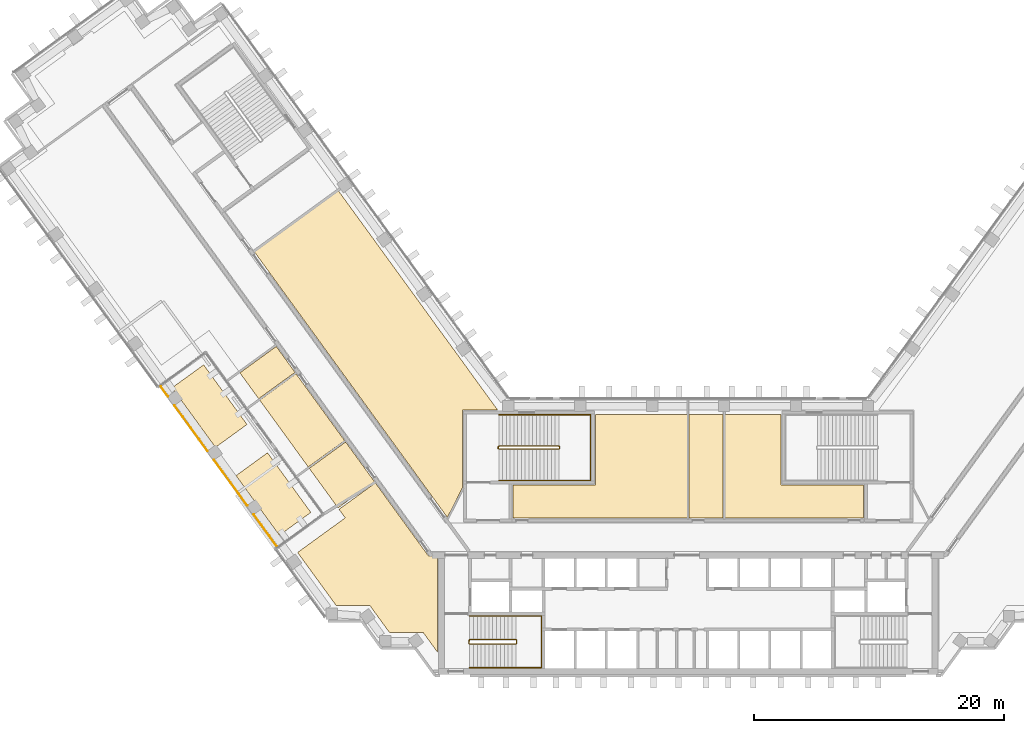
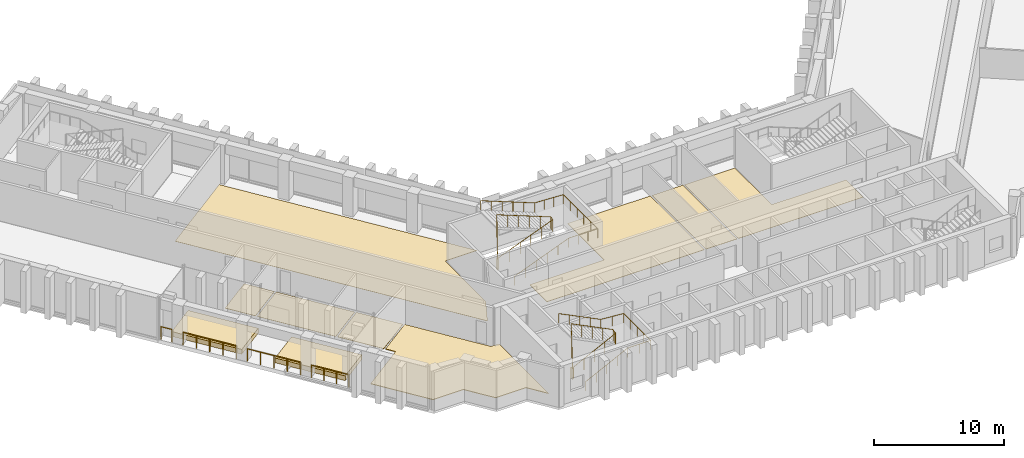
# One storey, part 14 of 16: 10 coverings, 8 railings.
"""IFC4 building model written with IfcOpenShell, lengths in metres."""

from ifc_helpers import new_model, si_unit, direction, frame, origin, origin_2d, place, context, subcontext, project, spatial, polyline, circle, outline, extrude, material, layer, layer_set, type_object, element, save


model = new_model("IFC4")

# Units and contexts
model_context = context("Model", 3, precision=1e-05, world=origin(), true_north=direction((0.0, 1.0)))
body_context = subcontext(model_context, "Body", "Model", "MODEL_VIEW")
ifc_project = project(units=[si_unit("LENGTHUNIT", "METRE"), si_unit("AREAUNIT", "SQUARE_METRE"), si_unit("VOLUMEUNIT", "CUBIC_METRE"), si_unit("PLANEANGLEUNIT", "RADIAN"), si_unit("MASSUNIT", "GRAM", prefix="KILO")], contexts=[model_context])

# Site, building, storey
site_placement = place(None, origin())
site = spatial("IfcSite", under=ifc_project, at=site_placement, CompositionType="ELEMENT")
building_placement = place(site_placement, origin())
building = spatial("IfcBuilding", under=site, at=building_placement, Name="Quipu Civic Tower", CompositionType="ELEMENT")
storey_placement = place(building_placement, frame((0.0, 0.0, 55.0)))
storey = spatial("IfcBuildingStorey", under=building, at=storey_placement, Name="L12", CompositionType="ELEMENT", Elevation=55.0)

# Coverings
ifc_material_1 = material(Name="Carpet tile on raised access floor")
ifc_layer_1 = layer(ifc_material_1, 0.02001953125)
ifc_layer_set_1 = layer_set([ifc_layer_1], Name="Carpet tile on raised access floor")
covering_type_1 = type_object("IfcCoveringType", Name="Carpet tile floor finish 20", PredefinedType="FLOORING", material=ifc_layer_set_1)
covering_1_placement = place(storey_placement, origin())
element("IfcCovering", 1, at=covering_1_placement, inside=storey, type_object=covering_type_1, Name="Carpet tile floor finish 20", PredefinedType="FLOORING", context=body_context, shape_type="SweptSolid", body=[
    extrude(outline(polyline([(-34.719970703125, 22.845947265625), (-27.99609375, 27.72998046875), (-15.238037109375, 10.169921875), (-18.070068359375, 10.1689453125), (-18.070068359375, 3.94189453125), (-19.27197265625, 1.583984375), (-34.719970703125, 22.845947265625)])), origin(), (0.0, 0.0, 1.0), 0.02001953125),
])
covering_2_placement = place(storey_placement, origin())
element("IfcCovering", 2, at=covering_2_placement, inside=storey, type_object=covering_type_1, Name="Carpet tile floor finish 20", PredefinedType="FLOORING", context=body_context, shape_type="SweptSolid", body=[
    extrude(outline(polyline([(2.948974609375, 1.52001953125), (2.948974609375, 9.830078125), (7.429931640625, 9.830078125), (7.430908203125, 4.179931640625), (14.030029296875, 4.179931640625), (14.030029296875, 1.52001953125), (2.948974609375, 1.52001953125)])), origin(), (0.0, 0.0, 1.0), 0.02001953125),
])
covering_3_placement = place(storey_placement, origin())
element("IfcCovering", 3, at=covering_3_placement, inside=storey, type_object=covering_type_1, Name="Carpet tile floor finish 20", PredefinedType="FLOORING", context=body_context, shape_type="SweptSolid", body=[
    extrude(outline(polyline([(-34.29296875, 10.968994140625), (-31.384033203125, 13.08203125), (-27.4990234375, 7.73388671875), (-30.407958984375, 5.6220703125), (-34.29296875, 10.968994140625)])), origin(), (0.0, 0.0, 1.0), 0.02001953125),
])
ifc_material_2 = material(Name="Ceramic floor tile")
ifc_layer_2 = layer(ifc_material_2, 0.030029296875)
ifc_layer_set_2 = layer_set([ifc_layer_2], Name="Ceramic floor tile")
covering_type_2 = type_object("IfcCoveringType", Name="Ceramic tile floor finish 30", PredefinedType="FLOORING", material=ifc_layer_set_2)
covering_4_placement = place(storey_placement, origin())
element("IfcCovering", 4, at=covering_4_placement, inside=storey, type_object=covering_type_2, Name="Ceramic tile floor finish 30", PredefinedType="FLOORING", context=body_context, shape_type="SweptSolid", body=[
    extrude(outline(polyline([(-14.030029296875, 4.179931640625), (-7.430908203125, 4.179931640625), (-7.429931640625, 9.830078125), (-0.070068359375, 9.830078125), (-0.070068359375, 1.52001953125), (-14.030029296875, 1.52001953125), (-14.030029296875, 4.179931640625)])), origin(), (0.0, 0.0, 1.0), 0.030029296875),
])
covering_5_placement = place(storey_placement, origin())
element("IfcCovering", 5, at=covering_5_placement, inside=storey, type_object=covering_type_2, Name="Ceramic tile floor finish 30", PredefinedType="FLOORING", context=body_context, shape_type="SweptSolid", body=[
    extrude(outline(polyline([(0.070068359375, 9.830078125), (2.80908203125, 9.830078125), (2.80908203125, 1.52001953125), (0.070068359375, 1.52001953125), (0.070068359375, 9.830078125)])), origin(), (0.0, 0.0, 1.0), 0.030029296875),
])
covering_6_placement = place(storey_placement, origin())
element("IfcCovering", 6, at=covering_6_placement, inside=storey, type_object=covering_type_2, Name="Ceramic tile floor finish 30", PredefinedType="FLOORING", context=body_context, shape_type="SweptSolid", body=[
    extrude(outline(polyline([(-35.8798828125, 13.154052734375), (-32.969970703125, 15.26708984375), (-31.466064453125, 13.196044921875), (-34.3759765625, 11.0830078125), (-35.8798828125, 13.154052734375)])), origin(), (0.0, 0.0, 1.0), 0.030029296875),
])
covering_7_placement = place(storey_placement, origin())
element("IfcCovering", 7, at=covering_7_placement, inside=storey, type_object=covering_type_2, Name="Ceramic tile floor finish 30", PredefinedType="FLOORING", context=body_context, shape_type="SweptSolid", body=[
    extrude(outline(polyline([(-30.324951171875, 5.508056640625), (-27.416015625, 7.62109375), (-25.117919921875, 4.4580078125), (-28.028076171875, 2.344970703125), (-30.324951171875, 5.508056640625)])), origin(), (0.0, 0.0, 1.0), 0.030029296875),
])
ifc_material_3 = material(Name="Planting soil on drainage board")
ifc_layer_3 = layer(ifc_material_3, 0.449951171875)
ifc_layer_set_3 = layer_set([ifc_layer_3], Name="Planting soil on drainage board")
covering_type_3 = type_object("IfcCoveringType", Name="Planted terrace build-up", PredefinedType="FLOORING", material=ifc_layer_set_3)
covering_8_placement = place(storey_placement, origin())
element("IfcCovering", 8, at=covering_8_placement, inside=storey, type_object=covering_type_3, Name="Planted terrace L12 bed 1", PredefinedType="FLOORING", context=body_context, shape_type="SweptSolid", body=[
    extrude(outline(polyline([(-41.30078125, 11.96484375), (-38.78125, 13.79541015625), (-35.3134765625, 9.022216796875), (-37.8330078125, 7.191650390625), (-41.30078125, 11.96484375)])), origin(), (0.0, 0.0, 1.0), 0.449951171875),
])
covering_9_placement = place(storey_placement, origin())
element("IfcCovering", 9, at=covering_9_placement, inside=storey, type_object=covering_type_3, Name="Planted terrace L12 bed 2", PredefinedType="FLOORING", context=body_context, shape_type="SweptSolid", body=[
    extrude(outline(polyline([(-36.18701171875, 4.92626953125), (-33.66748046875, 6.7568359375), (-30.19970703125, 1.983642578125), (-32.718994140625, 0.153076171875), (-36.18701171875, 4.92626953125)])), origin(), (0.0, 0.0, 1.0), 0.449951171875),
])
ifc_material_4 = material(Name="Sealed cement screed")
ifc_layer_4 = layer(ifc_material_4, 0.050048828125)
ifc_layer_set_4 = layer_set([ifc_layer_4], Name="Sealed cement screed")
covering_type_4 = type_object("IfcCoveringType", Name="Sealed screed floor finish 50", PredefinedType="FLOORING", material=ifc_layer_set_4)
covering_10_placement = place(storey_placement, origin())
element("IfcCovering", 10, at=covering_10_placement, inside=storey, type_object=covering_type_4, Name="Sealed screed floor finish 50", PredefinedType="FLOORING", context=body_context, shape_type="SweptSolid", body=[
    extrude(outline(polyline([(-31.261962890625, -1.222900390625), (-27.448974609375, 1.5458984375), (-27.945068359375, 2.23095703125), (-25.034912109375, 4.344970703125), (-20.77490234375, -1.51904296875), (-20.070068359375, -1.52001953125), (-20.070068359375, -9.195068359375), (-21.196044921875, -7.64599609375), (-21.6630859375, -7.64599609375), (-21.666015625, -7.64404296875), (-21.669921875, -7.64111328125), (-21.675048828125, -7.639892578125), (-21.679931640625, -7.637939453125), (-21.68408203125, -7.636962890625), (-21.68896484375, -7.636962890625), (-21.694091796875, -7.635986328125), (-21.698974609375, -7.636962890625), (-21.7041015625, -7.637939453125), (-21.708984375, -7.638916015625), (-21.712890625, -7.64111328125), (-21.718017578125, -7.64306640625), (-21.721923828125, -7.64599609375), (-21.721923828125, -7.64599609375), (-23.89501953125, -7.64599609375), (-25.48193359375, -5.4619140625), (-28.181884765625, -5.4609375), (-31.261962890625, -1.222900390625)])), origin(), (0.0, 0.0, 1.0), 0.050048828125),
])

# Railings
ifc_material_5 = material(Name="Stainless steel", Category="steel")
railing_type_1 = type_object("IfcRailingType", Name="Stair guard 1100", PredefinedType="GUARDRAIL", material=ifc_material_5)
railing_1_placement = place(storey_placement, frame((-17.5, -8.550048828125, 0.15380859375)))
element("IfcRailing", 11, at=railing_1_placement, inside=storey, type_object=railing_type_1, Name="Stair 1 guard", PredefinedType="GUARDRAIL", context=body_context, shape_type="SweptSolid", body=[
    extrude(circle(Radius=0.02392578125, at=origin_2d()), frame((0.0, 0.0, 1.076171875), z_axis=(0.895751851347, 0.0, 0.444554407028), x_axis=(0.0, 1.0, 0.0)), (0.0, 0.0, 1.0), 4.15283203125),
    extrude(circle(Radius=0.02392578125, at=origin_2d()), frame((3.719970703125, 0.0, 2.92236328125), z_axis=(0.707106781187, 0.707106781187, 0.0), x_axis=(-0.707106781187, 0.707106781187, 0.0)), (0.0, 0.0, 1.0), 0.07080078125),
    extrude(circle(Radius=0.02392578125, at=origin_2d()), frame((3.77001953125, 0.050048828125, 2.92236328125), z_axis=(0.0, 1.0, 0.0), x_axis=(-1.0, 0.0, 0.0)), (0.0, 0.0, 1.0), 0.25),
    extrude(circle(Radius=0.02392578125, at=origin_2d()), frame((3.77001953125, 0.300048828125, 2.92236328125), z_axis=(-0.295599637079, 0.295599637079, 0.908428152975), x_axis=(-0.707106781187, -0.707106781187, 0.0)), (0.0, 0.0, 1.0), 0.16943359375),
    extrude(circle(Radius=0.02392578125, at=origin_2d()), frame((3.719970703125, 0.35009765625, 3.076171875), z_axis=(-0.895751851347, 0.0, 0.444554407028), x_axis=(0.0, -1.0, 0.0)), (0.0, 0.0, 1.0), 4.15283203125),
    extrude(circle(Radius=0.02392578125, at=origin_2d()), frame((0.0, 0.35009765625, 4.92236328125), z_axis=(-0.012476181752, -0.074796231092, -0.997120789425), x_axis=(0.986372223864, -0.164529134168, 0.0)), (0.0, 0.0, 1.0), 4.011474609375),
    extrude(circle(Radius=0.02392578125, at=origin_2d()), frame((-0.050048828125, 0.050048828125, 0.92236328125), z_axis=(0.0, 1.0, 0.0), x_axis=(-1.0, 0.0, 0.0)), (0.0, 0.0, 1.0), 0.25),
    extrude(circle(Radius=0.02099609375, at=origin_2d()), origin(), (0.0, 0.0, 1.0), 1.052001953125),
    extrude(circle(Radius=0.02099609375, at=origin_2d()), frame((0.929931640625, 0.0, 0.46142578125)), (0.0, 0.0, 1.0), 1.052001953125),
    extrude(circle(Radius=0.02099609375, at=origin_2d()), frame((1.85986328125, 0.0, 0.923095703125)), (0.0, 0.0, 1.0), 1.052001953125),
    extrude(circle(Radius=0.02099609375, at=origin_2d()), frame((2.7900390625, 0.0, 1.384765625)), (0.0, 0.0, 1.0), 1.052001953125),
    extrude(circle(Radius=0.02099609375, at=origin_2d()), frame((3.719970703125, 0.0, 1.84619140625)), (0.0, 0.0, 1.0), 1.052001953125),
    extrude(circle(Radius=0.02099609375, at=origin_2d()), frame((3.77001953125, 0.050048828125, 1.84619140625)), (0.0, 0.0, 1.0), 1.052001953125),
    extrude(circle(Radius=0.02099609375, at=origin_2d()), frame((3.77001953125, 0.300048828125, 1.84619140625)), (0.0, 0.0, 1.0), 1.052001953125),
    extrude(circle(Radius=0.02099609375, at=origin_2d()), frame((3.719970703125, 0.35009765625, 2.0)), (0.0, 0.0, 1.0), 1.052001953125),
    extrude(circle(Radius=0.02099609375, at=origin_2d()), frame((2.7900390625, 0.35009765625, 2.46142578125)), (0.0, 0.0, 1.0), 1.052001953125),
    extrude(circle(Radius=0.02099609375, at=origin_2d()), frame((1.85986328125, 0.35009765625, 2.923095703125)), (0.0, 0.0, 1.0), 1.052001953125),
    extrude(circle(Radius=0.02099609375, at=origin_2d()), frame((0.929931640625, 0.35009765625, 3.384765625)), (0.0, 0.0, 1.0), 1.052001953125),
    extrude(circle(Radius=0.02099609375, at=origin_2d()), frame((0.0, 0.35009765625, 3.84619140625)), (0.0, 0.0, 1.0), 1.052001953125),
    extrude(circle(Radius=0.02099609375, at=origin_2d()), frame((-0.012451171875, 0.275146484375, 2.84619140625)), (0.0, 0.0, 1.0), 1.052001953125),
    extrude(circle(Radius=0.02099609375, at=origin_2d()), frame((-0.02490234375, 0.2001953125, 1.84619140625)), (0.0, 0.0, 1.0), 1.052001953125),
    extrude(circle(Radius=0.02099609375, at=origin_2d()), frame((-0.03759765625, 0.125, 0.84619140625)), (0.0, 0.0, 1.0), 1.052001953125),
    extrude(circle(Radius=0.02099609375, at=origin_2d()), frame((-0.050048828125, 0.050048828125, -0.15380859375)), (0.0, 0.0, 1.0), 1.052001953125),
    extrude(circle(Radius=0.02099609375, at=origin_2d()), frame((-0.050048828125, 0.300048828125, -0.15380859375)), (0.0, 0.0, 1.0), 1.052001953125),
])
railing_2_placement = place(storey_placement, frame((-15.14990234375, 7.050048828125, 0.11767578125)))
element("IfcRailing", 12, at=railing_2_placement, inside=storey, type_object=railing_type_1, Name="Stair 3 guard", PredefinedType="GUARDRAIL", context=body_context, shape_type="SweptSolid", body=[
    extrude(circle(Radius=0.02392578125, at=origin_2d()), frame((0.0, 0.0, 1.076171875), z_axis=(0.930970042603, 0.0, 0.365095576219), x_axis=(0.0, 1.0, 0.0)), (0.0, 0.0, 1.0), 5.15576171875),
    extrude(circle(Radius=0.02392578125, at=origin_2d()), frame((4.7998046875, 0.0, 2.95849609375), z_axis=(0.707106781187, 0.707106781187, 0.0), x_axis=(-0.707106781187, 0.707106781187, 0.0)), (0.0, 0.0, 1.0), 0.07080078125),
    extrude(circle(Radius=0.02392578125, at=origin_2d()), frame((4.849853515625, 0.050048828125, 2.95849609375), z_axis=(0.0, 1.0, 0.0), x_axis=(-1.0, 0.0, 0.0)), (0.0, 0.0, 1.0), 0.14990234375),
    extrude(circle(Radius=0.02392578125, at=origin_2d()), frame((4.849853515625, 0.199951171875, 2.95849609375), z_axis=(-0.364463019033, 0.364463019033, 0.856932561824), x_axis=(-0.707106781187, -0.707106781187, 0.0)), (0.0, 0.0, 1.0), 0.13720703125),
    extrude(circle(Radius=0.02392578125, at=origin_2d()), frame((4.7998046875, 0.25, 3.076171875), z_axis=(-0.930970042603, 0.0, 0.365095576219), x_axis=(0.0, -1.0, 0.0)), (0.0, 0.0, 1.0), 5.15576171875),
    extrude(circle(Radius=0.02392578125, at=origin_2d()), frame((0.0, 0.25, 4.95849609375), z_axis=(-0.012495627992, -0.049921557685, -0.998674970829), x_axis=(0.970072785993, -0.242814311512, 0.0)), (0.0, 0.0, 1.0), 4.00537109375),
    extrude(circle(Radius=0.02392578125, at=origin_2d()), frame((-0.050048828125, 0.050048828125, 0.95849609375), z_axis=(0.0, 1.0, 0.0), x_axis=(-1.0, 0.0, 0.0)), (0.0, 0.0, 1.0), 0.14990234375),
    extrude(circle(Radius=0.02099609375, at=origin_2d()), origin(), (0.0, 0.0, 1.0), 1.052001953125),
    extrude(circle(Radius=0.02099609375, at=origin_2d()), frame((0.9599609375, 0.0, 0.37646484375)), (0.0, 0.0, 1.0), 1.052001953125),
    extrude(circle(Radius=0.02099609375, at=origin_2d()), frame((1.919921875, 0.0, 0.7529296875)), (0.0, 0.0, 1.0), 1.052001953125),
    extrude(circle(Radius=0.02099609375, at=origin_2d()), frame((2.8798828125, 0.0, 1.12939453125)), (0.0, 0.0, 1.0), 1.052001953125),
    extrude(circle(Radius=0.02099609375, at=origin_2d()), frame((3.83984375, 0.0, 1.505859375)), (0.0, 0.0, 1.0), 1.052001953125),
    extrude(circle(Radius=0.02099609375, at=origin_2d()), frame((4.7998046875, 0.0, 1.88232421875)), (0.0, 0.0, 1.0), 1.052001953125),
    extrude(circle(Radius=0.02099609375, at=origin_2d()), frame((4.849853515625, 0.050048828125, 1.88232421875)), (0.0, 0.0, 1.0), 1.052001953125),
    extrude(circle(Radius=0.02099609375, at=origin_2d()), frame((4.849853515625, 0.199951171875, 1.88232421875)), (0.0, 0.0, 1.0), 1.052001953125),
    extrude(circle(Radius=0.02099609375, at=origin_2d()), frame((4.7998046875, 0.25, 2.0)), (0.0, 0.0, 1.0), 1.052001953125),
    extrude(circle(Radius=0.02099609375, at=origin_2d()), frame((3.83984375, 0.25, 2.37646484375)), (0.0, 0.0, 1.0), 1.052001953125),
    extrude(circle(Radius=0.02099609375, at=origin_2d()), frame((2.8798828125, 0.25, 2.7529296875)), (0.0, 0.0, 1.0), 1.052001953125),
    extrude(circle(Radius=0.02099609375, at=origin_2d()), frame((1.919921875, 0.25, 3.12939453125)), (0.0, 0.0, 1.0), 1.052001953125),
    extrude(circle(Radius=0.02099609375, at=origin_2d()), frame((0.9599609375, 0.25, 3.505859375)), (0.0, 0.0, 1.0), 1.052001953125),
    extrude(circle(Radius=0.02099609375, at=origin_2d()), frame((0.0, 0.25, 3.88232421875)), (0.0, 0.0, 1.0), 1.052001953125),
    extrude(circle(Radius=0.02099609375, at=origin_2d()), frame((-0.012451171875, 0.199951171875, 2.88232421875)), (0.0, 0.0, 1.0), 1.052001953125),
    extrude(circle(Radius=0.02099609375, at=origin_2d()), frame((-0.02490234375, 0.14990234375, 1.88232421875)), (0.0, 0.0, 1.0), 1.052001953125),
    extrude(circle(Radius=0.02099609375, at=origin_2d()), frame((-0.03759765625, 0.10009765625, 0.88232421875)), (0.0, 0.0, 1.0), 1.052001953125),
    extrude(circle(Radius=0.02099609375, at=origin_2d()), frame((-0.050048828125, 0.050048828125, -0.11767578125)), (0.0, 0.0, 1.0), 1.052001953125),
    extrude(circle(Radius=0.02099609375, at=origin_2d()), frame((-0.050048828125, 0.199951171875, -0.11767578125)), (0.0, 0.0, 1.0), 1.052001953125),
])
ifc_material_6 = material(Name="Stainless steel", Category="steel")
railing_type_2 = type_object("IfcRailingType", Name="Stair handrail", PredefinedType="HANDRAIL", material=ifc_material_6)
railing_3_placement = place(storey_placement, frame((-17.5, -10.449951171875, 0.15380859375)))
element("IfcRailing", 13, at=railing_3_placement, inside=storey, type_object=railing_type_2, Name="Stair 1 handrail", PredefinedType="HANDRAIL", context=body_context, shape_type="SweptSolid", body=[
    extrude(circle(Radius=0.02392578125, at=origin_2d()), frame((0.0, 0.0, 0.8759765625), z_axis=(0.895751851347, 0.0, 0.444554407028), x_axis=(0.0, 1.0, 0.0)), (0.0, 0.0, 1.0), 4.15283203125),
    extrude(circle(Radius=0.02392578125, at=origin_2d()), frame((3.719970703125, 0.0, 2.72216796875), z_axis=(1.0, 0.0, 0.0), x_axis=(0.0, 1.0, 0.0)), (0.0, 0.0, 1.0), 2.030029296875),
    extrude(circle(Radius=0.02392578125, at=origin_2d()), frame((5.75, 0.0, 2.72216796875), z_axis=(0.0, 1.0, 0.0), x_axis=(-1.0, 0.0, 0.0)), (0.0, 0.0, 1.0), 4.14990234375),
    extrude(circle(Radius=0.02392578125, at=origin_2d()), frame((5.75, 4.14990234375, 2.72216796875), z_axis=(-0.997142003663, 0.0, 0.075550145798), x_axis=(0.0, -1.0, 0.0)), (0.0, 0.0, 1.0), 2.035888671875),
    extrude(circle(Radius=0.02392578125, at=origin_2d()), frame((3.719970703125, 4.14990234375, 2.8759765625), z_axis=(-0.895751851347, 0.0, 0.444554407028), x_axis=(0.0, -1.0, 0.0)), (0.0, 0.0, 1.0), 4.15283203125),
    extrude(circle(Radius=0.02099609375, at=origin_2d()), origin(), (0.0, 0.0, 1.0), 0.851806640625),
    extrude(circle(Radius=0.02099609375, at=origin_2d()), frame((0.929931640625, 0.0, 0.46142578125)), (0.0, 0.0, 1.0), 0.851806640625),
    extrude(circle(Radius=0.02099609375, at=origin_2d()), frame((1.85986328125, 0.0, 0.923095703125)), (0.0, 0.0, 1.0), 0.851806640625),
    extrude(circle(Radius=0.02099609375, at=origin_2d()), frame((2.7900390625, 0.0, 1.384765625)), (0.0, 0.0, 1.0), 0.851806640625),
    extrude(circle(Radius=0.02099609375, at=origin_2d()), frame((3.719970703125, 0.0, 1.84619140625)), (0.0, 0.0, 1.0), 0.851806640625),
    extrude(circle(Radius=0.02099609375, at=origin_2d()), frame((4.73486328125, 0.0, 1.84619140625)), (0.0, 0.0, 1.0), 0.851806640625),
    extrude(circle(Radius=0.02099609375, at=origin_2d()), frame((5.75, 0.0, 1.84619140625)), (0.0, 0.0, 1.0), 0.851806640625),
    extrude(circle(Radius=0.02099609375, at=origin_2d()), frame((5.75, 1.03759765625, 1.84619140625)), (0.0, 0.0, 1.0), 0.851806640625),
    extrude(circle(Radius=0.02099609375, at=origin_2d()), frame((5.75, 2.074951171875, 1.84619140625)), (0.0, 0.0, 1.0), 0.851806640625),
    extrude(circle(Radius=0.02099609375, at=origin_2d()), frame((5.75, 3.1123046875, 1.84619140625)), (0.0, 0.0, 1.0), 0.851806640625),
    extrude(circle(Radius=0.02099609375, at=origin_2d()), frame((5.75, 4.14990234375, 1.84619140625)), (0.0, 0.0, 1.0), 0.851806640625),
    extrude(circle(Radius=0.02099609375, at=origin_2d()), frame((4.73486328125, 4.14990234375, 1.923095703125)), (0.0, 0.0, 1.0), 0.851806640625),
    extrude(circle(Radius=0.02099609375, at=origin_2d()), frame((3.719970703125, 4.14990234375, 2.0)), (0.0, 0.0, 1.0), 0.851806640625),
    extrude(circle(Radius=0.02099609375, at=origin_2d()), frame((2.7900390625, 4.14990234375, 2.46142578125)), (0.0, 0.0, 1.0), 0.851806640625),
    extrude(circle(Radius=0.02099609375, at=origin_2d()), frame((1.85986328125, 4.14990234375, 2.923095703125)), (0.0, 0.0, 1.0), 0.851806640625),
    extrude(circle(Radius=0.02099609375, at=origin_2d()), frame((0.929931640625, 4.14990234375, 3.384765625)), (0.0, 0.0, 1.0), 0.851806640625),
    extrude(circle(Radius=0.02099609375, at=origin_2d()), frame((0.0, 4.14990234375, 3.84619140625)), (0.0, 0.0, 1.0), 0.851806640625),
])
railing_4_placement = place(storey_placement, frame((-15.14990234375, 4.550048828125, 0.11767578125)))
element("IfcRailing", 14, at=railing_4_placement, inside=storey, type_object=railing_type_2, Name="Stair 3 handrail", PredefinedType="HANDRAIL", context=body_context, shape_type="SweptSolid", body=[
    extrude(circle(Radius=0.02392578125, at=origin_2d()), frame((0.0, 0.0, 0.8759765625), z_axis=(0.930970042603, 0.0, 0.365095576219), x_axis=(0.0, 1.0, 0.0)), (0.0, 0.0, 1.0), 5.15576171875),
    extrude(circle(Radius=0.02392578125, at=origin_2d()), frame((4.7998046875, 0.0, 2.75830078125), z_axis=(1.0, 0.0, 0.0), x_axis=(0.0, 1.0, 0.0)), (0.0, 0.0, 1.0), 2.550048828125),
    extrude(circle(Radius=0.02392578125, at=origin_2d()), frame((7.349853515625, 0.0, 2.75830078125), z_axis=(0.0, 1.0, 0.0), x_axis=(-1.0, 0.0, 0.0)), (0.0, 0.0, 1.0), 5.25),
    extrude(circle(Radius=0.02392578125, at=origin_2d()), frame((7.349853515625, 5.25, 2.75830078125), z_axis=(-0.998936948642, 0.0, 0.04609742549), x_axis=(0.0, -1.0, 0.0)), (0.0, 0.0, 1.0), 2.552734375),
    extrude(circle(Radius=0.02392578125, at=origin_2d()), frame((4.7998046875, 5.25, 2.8759765625), z_axis=(-0.930970042603, 0.0, 0.365095576219), x_axis=(0.0, -1.0, 0.0)), (0.0, 0.0, 1.0), 5.15576171875),
    extrude(circle(Radius=0.02099609375, at=origin_2d()), origin(), (0.0, 0.0, 1.0), 0.851806640625),
    extrude(circle(Radius=0.02099609375, at=origin_2d()), frame((0.9599609375, 0.0, 0.37646484375)), (0.0, 0.0, 1.0), 0.851806640625),
    extrude(circle(Radius=0.02099609375, at=origin_2d()), frame((1.919921875, 0.0, 0.7529296875)), (0.0, 0.0, 1.0), 0.851806640625),
    extrude(circle(Radius=0.02099609375, at=origin_2d()), frame((2.8798828125, 0.0, 1.12939453125)), (0.0, 0.0, 1.0), 0.851806640625),
    extrude(circle(Radius=0.02099609375, at=origin_2d()), frame((3.83984375, 0.0, 1.505859375)), (0.0, 0.0, 1.0), 0.851806640625),
    extrude(circle(Radius=0.02099609375, at=origin_2d()), frame((4.7998046875, 0.0, 1.88232421875)), (0.0, 0.0, 1.0), 0.851806640625),
    extrude(circle(Radius=0.02099609375, at=origin_2d()), frame((5.64990234375, 0.0, 1.88232421875)), (0.0, 0.0, 1.0), 0.851806640625),
    extrude(circle(Radius=0.02099609375, at=origin_2d()), frame((6.499755859375, 0.0, 1.88232421875)), (0.0, 0.0, 1.0), 0.851806640625),
    extrude(circle(Radius=0.02099609375, at=origin_2d()), frame((7.349853515625, 0.0, 1.88232421875)), (0.0, 0.0, 1.0), 0.851806640625),
    extrude(circle(Radius=0.02099609375, at=origin_2d()), frame((7.349853515625, 1.050048828125, 1.88232421875)), (0.0, 0.0, 1.0), 0.851806640625),
    extrude(circle(Radius=0.02099609375, at=origin_2d()), frame((7.349853515625, 2.10009765625, 1.88232421875)), (0.0, 0.0, 1.0), 0.851806640625),
    extrude(circle(Radius=0.02099609375, at=origin_2d()), frame((7.349853515625, 3.14990234375, 1.88232421875)), (0.0, 0.0, 1.0), 0.851806640625),
    extrude(circle(Radius=0.02099609375, at=origin_2d()), frame((7.349853515625, 4.199951171875, 1.88232421875)), (0.0, 0.0, 1.0), 0.851806640625),
    extrude(circle(Radius=0.02099609375, at=origin_2d()), frame((7.349853515625, 5.25, 1.88232421875)), (0.0, 0.0, 1.0), 0.851806640625),
    extrude(circle(Radius=0.02099609375, at=origin_2d()), frame((6.499755859375, 5.25, 1.921630859375)), (0.0, 0.0, 1.0), 0.851806640625),
    extrude(circle(Radius=0.02099609375, at=origin_2d()), frame((5.64990234375, 5.25, 1.960693359375)), (0.0, 0.0, 1.0), 0.851806640625),
    extrude(circle(Radius=0.02099609375, at=origin_2d()), frame((4.7998046875, 5.25, 2.0)), (0.0, 0.0, 1.0), 0.851806640625),
    extrude(circle(Radius=0.02099609375, at=origin_2d()), frame((3.83984375, 5.25, 2.37646484375)), (0.0, 0.0, 1.0), 0.851806640625),
    extrude(circle(Radius=0.02099609375, at=origin_2d()), frame((2.8798828125, 5.25, 2.7529296875)), (0.0, 0.0, 1.0), 0.851806640625),
    extrude(circle(Radius=0.02099609375, at=origin_2d()), frame((1.919921875, 5.25, 3.12939453125)), (0.0, 0.0, 1.0), 0.851806640625),
    extrude(circle(Radius=0.02099609375, at=origin_2d()), frame((0.9599609375, 5.25, 3.505859375)), (0.0, 0.0, 1.0), 0.851806640625),
    extrude(circle(Radius=0.02099609375, at=origin_2d()), frame((0.0, 5.25, 3.88232421875)), (0.0, 0.0, 1.0), 0.851806640625),
])
ifc_material_7 = material(Name="Steel S275", Category="steel")
railing_type_3 = type_object("IfcRailingType", Name="Terrace guard G1", PredefinedType="GUARDRAIL", material=ifc_material_7)
railing_5_placement = place(storey_placement, frame((-42.20361328125, 12.050537109375, 0.0)))
element("IfcRailing", 15, at=railing_5_placement, inside=storey, type_object=railing_type_3, Name="Terrace guard L12.1", PredefinedType="GUARDRAIL", context=body_context, shape_type="SweptSolid", body=[
    extrude(circle(Radius=0.02490234375, at=origin_2d()), frame((0.0, 0.0, 1.1748046875), z_axis=(0.587821974901, -0.808990312565, 0.0), x_axis=(0.808990312565, 0.587821974901, 0.0)), (0.0, 0.0, 1.0), 0.954833984375),
    extrude(circle(Radius=0.02490234375, at=origin_2d()), origin(), (0.0, 0.0, 1.0), 1.14990234375),
    extrude(circle(Radius=0.02490234375, at=origin_2d()), frame((0.561279296875, -0.7724609375, 0.0)), (0.0, 0.0, 1.0), 1.14990234375),
])
for number, where, name in (
    (16, (-41.11328125, 10.550048828125, 0.0), "Terrace guard L12.2"),
    (17, (-37.939208984375, 6.181396484375, 0.0), "Terrace guard L12.3"),
):
    element("IfcRailing", number, at=place(storey_placement, frame(where)), inside=storey, type_object=railing_type_3, Name=name, PredefinedType="GUARDRAIL", context=body_context, shape_type="SweptSolid", body=[
        extrude(circle(Radius=0.02490234375, at=origin_2d()), frame((0.0, 0.0, 1.1748046875), z_axis=(0.587778073121, -0.809022210299, 0.0), x_axis=(0.809022210299, 0.587778073121, 0.0)), (0.0, 0.0, 1.0), 4.5),
        extrude(circle(Radius=0.02490234375, at=origin_2d()), origin(), (0.0, 0.0, 1.0), 1.14990234375),
        extrude(circle(Radius=0.02490234375, at=origin_2d()), frame((0.6611328125, -0.91015625, 0.0)), (0.0, 0.0, 1.0), 1.14990234375),
        extrude(circle(Radius=0.02490234375, at=origin_2d()), frame((1.322509765625, -1.8203125, 0.0)), (0.0, 0.0, 1.0), 1.14990234375),
        extrude(circle(Radius=0.02490234375, at=origin_2d()), frame((1.98388671875, -2.73046875, 0.0)), (0.0, 0.0, 1.0), 1.14990234375),
        extrude(circle(Radius=0.02490234375, at=origin_2d()), frame((2.64501953125, -3.640625, 0.0)), (0.0, 0.0, 1.0), 1.14990234375),
    ])
railing_6_placement = place(storey_placement, frame((-34.765380859375, 1.8125, 0.0)))
element("IfcRailing", 18, at=railing_6_placement, inside=storey, type_object=railing_type_3, Name="Terrace guard L12.4", PredefinedType="GUARDRAIL", context=body_context, shape_type="SweptSolid", body=[
    extrude(circle(Radius=0.02490234375, at=origin_2d()), frame((0.0, 0.0, 1.1748046875), z_axis=(0.587834723294, -0.808981049277, 0.0), x_axis=(0.808981049277, 0.587834723294, 0.0)), (0.0, 0.0, 1.0), 3.145263671875),
    extrude(circle(Radius=0.02490234375, at=origin_2d()), origin(), (0.0, 0.0, 1.0), 1.14990234375),
    extrude(circle(Radius=0.02490234375, at=origin_2d()), frame((0.6162109375, -0.84814453125, 0.0)), (0.0, 0.0, 1.0), 1.14990234375),
    extrude(circle(Radius=0.02490234375, at=origin_2d()), frame((1.232666015625, -1.6962890625, 0.0)), (0.0, 0.0, 1.0), 1.14990234375),
    extrude(circle(Radius=0.02490234375, at=origin_2d()), frame((1.848876953125, -2.54443359375, 0.0)), (0.0, 0.0, 1.0), 1.14990234375),
])

save(model, "model.ifc")
